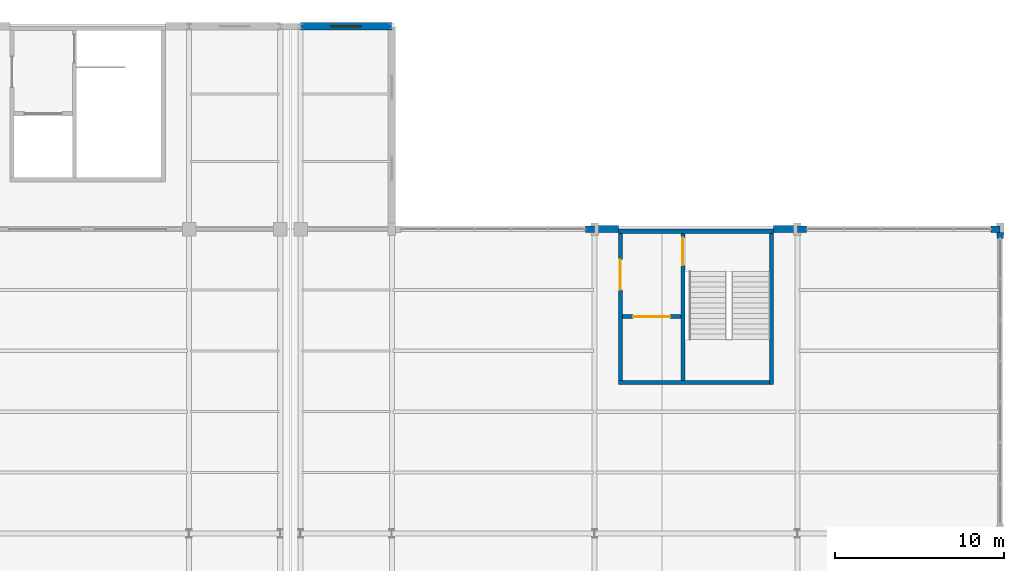
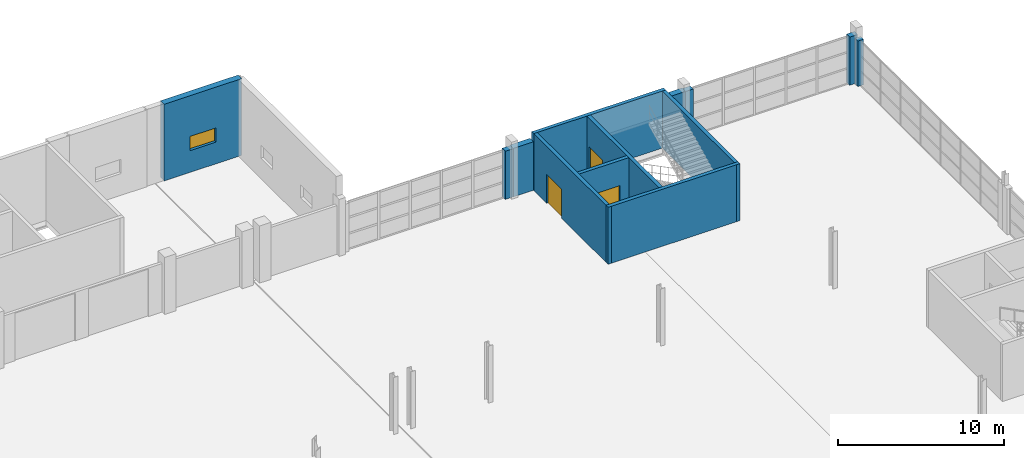
# One storey, part 141 of 147: 13 walls, 3 doors, 1 window, 4 openings.
"""IFC4 building model written with IfcOpenShell, lengths in metres."""

from ifc_helpers import new_model, si_unit, direction, frame, frame_2d, origin, place, context, subcontext, project, spatial, rectangle, extrude, material, layer, layer_set, type_object, element, fill, save


model = new_model("IFC4")

# Units and contexts
model_context = context("Model", 3, precision=1e-05, world=origin(), true_north=direction((0.0, 1.0)))
body_context = subcontext(model_context, "Body", "Model", "MODEL_VIEW")
ifc_project = project(units=[si_unit("LENGTHUNIT", "METRE"), si_unit("AREAUNIT", "SQUARE_METRE"), si_unit("VOLUMEUNIT", "CUBIC_METRE"), si_unit("PLANEANGLEUNIT", "RADIAN"), si_unit("MASSUNIT", "GRAM", prefix="KILO")], contexts=[model_context])

# Site, building, storey
site_placement = place(None, origin())
site = spatial("IfcSite", under=ifc_project, at=site_placement, CompositionType="ELEMENT")
building_placement = place(site_placement, origin())
building = spatial("IfcBuilding", under=site, at=building_placement, Name="Zilviju Railside Exhibition Hall", CompositionType="ELEMENT")
storey_placement = place(building_placement, frame((0.0, 0.0, 8.39990234375)))
storey = spatial("IfcBuildingStorey", under=building, at=storey_placement, Name="L03", CompositionType="ELEMENT", Elevation=8.39990234375)

# Walls
ifc_material_1 = material(Name="Concrete C35/45", Category="concrete")
ifc_layer_1 = layer(ifc_material_1, 0.25)
ifc_layer_set_1 = layer_set([ifc_layer_1], Name="Concrete C35/45")
wall_type_1 = type_object("IfcWallType", Name="WL-CORE-250", PredefinedType="SHEAR", material=ifc_layer_set_1)
wall_1_placement = place(storey_placement, frame((202.47509765625, 138.0, 0.0), z_axis=(0.0, 0.0, 1.0), x_axis=(0.0, -1.0, 0.0)))
element("IfcWall", 1, at=wall_1_placement, inside=storey, type_object=wall_type_1, Name="Core C08 North Hall Rail East Stairwell Outer Wall L03", PredefinedType="SHEAR", context=body_context, shape_type="SweptSolid", body=[
    extrude(rectangle(XDim=9.199951171875, YDim=0.25, at=frame_2d((4.60009765625, 0.0))), origin(), (0.0, 0.0, 1.0), 4.2001953125),
])
wall_2_placement = place(storey_placement, frame((202.60009765625, 128.925048828125, 0.0), z_axis=(0.0, 0.0, 1.0), x_axis=(-1.0, 0.0, 0.0)))
element("IfcWall", 2, at=wall_2_placement, inside=storey, type_object=wall_type_1, Name="Core C08 North Hall Rail East Core Rear Wall L03", PredefinedType="SHEAR", context=body_context, shape_type="SweptSolid", body=[
    extrude(rectangle(XDim=9.2001953125, YDim=0.25, at=frame_2d((4.60009765625, 0.0))), origin(), (0.0, 0.0, 1.0), 4.2001953125),
])

# Wall, opening, door
wall_3_placement = place(storey_placement, frame((193.52490234375, 138.0, 0.0), z_axis=(0.0, 0.0, 1.0), x_axis=(0.0, -1.0, 0.0)))
wall_3 = element("IfcWall", 3, at=wall_3_placement, inside=storey, type_object=wall_type_1, Name="Core C08 North Hall Rail East Lobby Side Wall L03", PredefinedType="SHEAR", context=body_context, shape_type="SweptSolid", body=[
    extrude(rectangle(XDim=9.199951171875, YDim=0.25, at=frame_2d((4.60009765625, 0.0))), origin(), (0.0, 0.0, 1.0), 4.2001953125),
])
opening_1_placement = place(wall_3_placement, frame((1.800048828125, 0.0, 0.0)))
opening_1 = element("IfcOpeningElement", 4, at=opening_1_placement, cuts=wall_3, Name="Opening FD-02", PredefinedType="OPENING", context=body_context, shape_type="SweptSolid", body=[
    extrude(rectangle(XDim=1.800048828125, YDim=2.14990234375, at=frame_2d((0.89990234375, 1.074951171875))), frame((0.0, 0.135009765625, 0.0), z_axis=(0.0, -1.0, 0.0), x_axis=(1.0, 0.0, 0.0)), (0.0, 0.0, 1.0), 0.27001953125),
])
ifc_material_2 = material(Name="Self-closing glazed steel core lobby fire door EI 60", Category="steel")
door_type_1 = type_object("IfcDoorType", Name="DR-LOBBY-180x215", OperationType="NOTDEFINED", PredefinedType="DOOR", material=ifc_material_2)
door_1_placement = place(opening_1_placement, origin())
door_1 = element("IfcDoor", 5, at=door_1_placement, inside=storey, type_object=door_type_1, Name="Core C08 North Hall Rail East Lobby Fire Door L03", OperationType="DOUBLE_DOOR_SINGLE_SWING", OverallHeight=2.14990234375, OverallWidth=1.800048828125, PredefinedType="DOOR", context=body_context, shape_type="SweptSolid", body=[
    extrude(rectangle(XDim=1.800048828125, YDim=2.14990234375, at=frame_2d((0.89990234375, 1.074951171875))), frame((0.0, 0.02490234375, 0.0), z_axis=(0.0, -1.0, 0.0), x_axis=(1.0, 0.0, 0.0)), (0.0, 0.0, 1.0), 0.050048828125),
])
fill(opening_1, door_1)

wall_4_placement = place(storey_placement, frame((197.22509765625, 137.75, 0.0), z_axis=(0.0, 0.0, 1.0), x_axis=(0.0, -1.0, 0.0)))
wall_4 = element("IfcWall", 6, at=wall_4_placement, inside=storey, type_object=wall_type_1, Name="Core C08 North Hall Rail East Stairwell Partition Wall L03", PredefinedType="SHEAR", context=body_context, shape_type="SweptSolid", body=[
    extrude(rectangle(XDim=8.699951171875, YDim=0.25, at=frame_2d((4.35009765625, 0.0))), origin(), (0.0, 0.0, 1.0), 4.2001953125),
])
opening_2_placement = place(wall_4_placement, frame((0.25, 0.0, 0.0)))
opening_2 = element("IfcOpeningElement", 7, at=opening_2_placement, cuts=wall_4, Name="Opening FD-01", PredefinedType="OPENING", context=body_context, shape_type="SweptSolid", body=[
    extrude(rectangle(XDim=1.64990234375, YDim=2.10009765625, at=frame_2d((0.824951171875, 1.050048828125))), frame((0.0, 0.135009765625, 0.0), z_axis=(0.0, -1.0, 0.0), x_axis=(1.0, 0.0, 0.0)), (0.0, 0.0, 1.0), 0.27001953125),
])
ifc_material_3 = material(Name="Self-closing steel stair enclosure fire door EI 60", Category="steel")
door_type_2 = type_object("IfcDoorType", Name="DR-STAIR-165x210", OperationType="NOTDEFINED", PredefinedType="DOOR", material=ifc_material_3)
door_2_placement = place(opening_2_placement, origin())
door_2 = element("IfcDoor", 8, at=door_2_placement, inside=storey, type_object=door_type_2, Name="Core C08 North Hall Rail East Protected Stair Door L03", OperationType="SINGLE_SWING_RIGHT", OverallHeight=2.10009765625, OverallWidth=1.64990234375, PredefinedType="DOOR", context=body_context, shape_type="SweptSolid", body=[
    extrude(rectangle(XDim=1.64990234375, YDim=2.10009765625, at=frame_2d((0.824951171875, 1.050048828125))), frame((0.0, 0.02490234375, 0.0), z_axis=(0.0, -1.0, 0.0), x_axis=(1.0, 0.0, 0.0)), (0.0, 0.0, 1.0), 0.050048828125),
])
fill(opening_2, door_2)

wall_5_placement = place(storey_placement, frame((197.10009765625, 132.824951171875, 0.0), z_axis=(0.0, 0.0, 1.0), x_axis=(-1.0, 0.0, 0.0)))
wall_5 = element("IfcWall", 9, at=wall_5_placement, inside=storey, type_object=wall_type_1, Name="Core C08 North Hall Rail East Lift Shaft Front Wall L03", PredefinedType="SHEAR", context=body_context, shape_type="SweptSolid", body=[
    extrude(rectangle(XDim=3.4501953125, YDim=0.25, at=frame_2d((1.72509765625, 0.0))), origin(), (0.0, 0.0, 1.0), 4.2001953125),
])
opening_3_placement = place(wall_5_placement, frame((0.625, 0.0, 0.0)))
opening_3 = element("IfcOpeningElement", 10, at=opening_3_placement, cuts=wall_5, Name="Opening LD-02", PredefinedType="OPENING", context=body_context, shape_type="SweptSolid", body=[
    extrude(rectangle(XDim=2.199951171875, YDim=2.35009765625, at=frame_2d((1.10009765625, 1.175048828125))), frame((0.0, 0.135009765625, 0.0), z_axis=(0.0, -1.0, 0.0), x_axis=(1.0, 0.0, 0.0)), (0.0, 0.0, 1.0), 0.27001953125),
])
ifc_material_4 = material(Name="Heavy freight lift sliding landing door EI 60", Category="wood")
door_type_3 = type_object("IfcDoorType", Name="DR-LIFT-220x235", OperationType="NOTDEFINED", PredefinedType="DOOR", material=ifc_material_4)
door_3_placement = place(opening_3_placement, origin())
door_3 = element("IfcDoor", 11, at=door_3_placement, inside=storey, type_object=door_type_3, Name="Lift Landing Door LF-02 L03", OperationType="SLIDING_TO_RIGHT", OverallHeight=2.35009765625, OverallWidth=2.199951171875, PredefinedType="DOOR", context=body_context, shape_type="SweptSolid", body=[
    extrude(rectangle(XDim=2.199951171875, YDim=2.35009765625, at=frame_2d((1.10009765625, 1.175048828125))), frame((0.0, 0.02490234375, 0.0), z_axis=(0.0, -1.0, 0.0), x_axis=(1.0, 0.0, 0.0)), (0.0, 0.0, 1.0), 0.050048828125),
])
fill(opening_3, door_3)

# Walls
ifc_material_5 = material(Name="Concrete C40/50", Category="concrete")
ifc_layer_2 = layer(ifc_material_5, 0.25)
ifc_layer_set_2 = layer_set([ifc_layer_2], Name="Concrete C40/50")
wall_type_2 = type_object("IfcWallType", Name="WL-CORE-300", PredefinedType="SHEAR", material=ifc_layer_set_2)
wall_6_placement = place(storey_placement, frame((193.39990234375, 137.875, 0.0), z_axis=(0.0, 0.0, 1.0), x_axis=(1.0, 0.0, 0.0)))
element("IfcWall", 12, at=wall_6_placement, inside=storey, type_object=wall_type_2, Name="Core C08 North Hall Rail East Exterior Core Wall L03", PredefinedType="SHEAR", context=body_context, shape_type="SweptSolid", body=[
    extrude(rectangle(XDim=9.2001953125, YDim=0.25, at=frame_2d((4.60009765625, 0.0))), origin(), (0.0, 0.0, 1.0), 4.2001953125),
])
ifc_material_6 = material(Name="Insulated cream-brick upper facade wall", Category="masonry")
ifc_layer_3 = layer(ifc_material_6, 0.3798828125)
ifc_layer_set_3 = layer_set([ifc_layer_3], Name="Insulated cream-brick upper facade wall")
wall_type_3 = type_object("IfcWallType", Name="WL-EXT-380", PredefinedType="SOLIDWALL", material=ifc_layer_set_3)
for number, where, z_axis, x_axis, name in (
    (13, (191.449951171875, 138.0, 0.0), (0.0, 0.0, 1.0), (1.0, 0.0, 0.0), "Curtain-Wall Jamb Closure Pier L03 0248"),
    (14, (204.001953125, 138.0, 0.0), (0.0, 0.0, 1.0), (1.0, 0.0, 0.0), "Curtain-Wall Jamb Closure Pier L03 0251"),
):
    element("IfcWall", number, at=place(storey_placement, frame(where, z_axis=z_axis, x_axis=x_axis)), inside=storey, type_object=wall_type_3, Name=name, PredefinedType="SOLIDWALL", context=body_context, shape_type="SweptSolid", body=[
        extrude(rectangle(XDim=0.548095703125, YDim=0.3798828125, at=frame_2d((0.27392578125, 0.0))), origin(), (0.0, 0.0, 1.0), 3.550048828125),
    ])
wall_7_placement = place(storey_placement, frame((215.449951171875, 138.0, 0.0), z_axis=(0.0, 0.0, 1.0), x_axis=(1.0, 0.0, 0.0)))
element("IfcWall", 15, at=wall_7_placement, inside=storey, type_object=wall_type_3, Name="Curtain-Wall Jamb Closure Pier L03 0252", PredefinedType="SOLIDWALL", context=body_context, shape_type="SweptSolid", body=[
    extrude(rectangle(XDim=0.550048828125, YDim=0.3798828125, at=frame_2d((0.27490234375, 0.0))), origin(), (0.0, 0.0, 1.0), 3.550048828125),
])
wall_8_placement = place(storey_placement, frame((216.0, 137.80810546875, 0.0), z_axis=(0.0, 0.0, 1.0), x_axis=(0.0, -1.0, 0.0)))
element("IfcWall", 16, at=wall_8_placement, inside=storey, type_object=wall_type_3, Name="Curtain-Wall Jamb Closure Pier L03 0259", PredefinedType="SOLIDWALL", context=body_context, shape_type="SweptSolid", body=[
    extrude(rectangle(XDim=0.358154296875, YDim=0.3798828125, at=frame_2d((0.17919921875, 0.0))), origin(), (0.0, 0.0, 1.0), 3.35009765625),
])
ifc_material_7 = material(Name="Insulated Jugendstils ochre brick facade wall", Category="masonry")
ifc_layer_4 = layer(ifc_material_7, 0.419921875)
ifc_layer_set_4 = layer_set([ifc_layer_4], Name="Insulated Jugendstils ochre brick facade wall")
wall_type_4 = type_object("IfcWallType", Name="WL-EXT-420", PredefinedType="SOLIDWALL", material=ifc_layer_set_4)
for number, where, z_axis, x_axis, name in (
    (17, (192.0, 138.0, 0.0), (0.0, 0.0, 1.0), (1.0, 0.0, 0.0), "Exterior Facade Wall L03 North 0249"),
    (18, (202.60009765625, 138.0, 0.0), (0.0, 0.0, 1.0), (1.0, 0.0, 0.0), "Exterior Facade Wall L03 North 0250"),
):
    element("IfcWall", number, at=place(storey_placement, frame(where, z_axis=z_axis, x_axis=x_axis)), inside=storey, type_object=wall_type_4, Name=name, PredefinedType="SOLIDWALL", context=body_context, shape_type="SweptSolid", body=[
        extrude(rectangle(XDim=1.39990234375, YDim=0.419921875, at=frame_2d((0.699951171875, 0.0))), origin(), (0.0, 0.0, 1.0), 3.580078125),
    ])

# Wall, opening, window
ifc_layer_5 = layer(ifc_material_5, 0.43994140625)
ifc_layer_set_5 = layer_set([ifc_layer_5], Name="Concrete C40/50")
wall_type_5 = type_object("IfcWallType", Name="WL-EXT-AC440", PredefinedType="SHEAR", material=ifc_layer_set_5)
wall_9_placement = place(storey_placement, frame((174.60009765625, 150.0, 0.0), z_axis=(0.0, 0.0, 1.0), x_axis=(1.0, 0.0, 0.0)))
wall_9 = element("IfcWall", 19, at=wall_9_placement, inside=storey, type_object=wall_type_5, Name="Exterior Facade Wall L03 North 0574", PredefinedType="SHEAR", context=body_context, shape_type="SweptSolid", body=[
    extrude(rectangle(XDim=5.39990234375, YDim=0.43994140625, at=frame_2d((2.699951171875, 0.0))), origin(), (0.0, 0.0, 1.0), 5.650146484375),
])
opening_4_placement = place(wall_9_placement, frame((1.800048828125, 0.0, 1.60009765625)))
opening_4 = element("IfcOpeningElement", 20, at=opening_4_placement, cuts=wall_9, Name="Opening WN-16", PredefinedType="OPENING", context=body_context, shape_type="SweptSolid", body=[
    extrude(rectangle(XDim=1.800048828125, YDim=1.050048828125, at=frame_2d((0.89990234375, 0.52490234375))), frame((0.0, 0.22998046875, 0.0), z_axis=(0.0, -1.0, 0.0), x_axis=(1.0, 0.0, 0.0)), (0.0, 0.0, 1.0), 0.4599609375),
])
ifc_material_8 = material(Name="Triple-glazed timber-aluminium window unit", Category="wood")
window_type = type_object("IfcWindowType", Name="WIN-LOG-180x105", PartitioningType="DOUBLE_PANEL_VERTICAL", PredefinedType="WINDOW", material=ifc_material_8)
window_placement = place(opening_4_placement, origin())
window = element("IfcWindow", 21, at=window_placement, inside=storey, type_object=window_type, Name="Facade Window L03 WN-0165", OverallHeight=1.050048828125, OverallWidth=1.800048828125, PartitioningType="SINGLE_PANEL", PredefinedType="WINDOW", context=body_context, shape_type="SweptSolid", body=[
    extrude(rectangle(XDim=1.800048828125, YDim=1.050048828125, at=frame_2d((0.89990234375, 0.52490234375))), frame((0.0, 0.030029296875, 0.0), z_axis=(0.0, -1.0, 0.0), x_axis=(1.0, 0.0, 0.0)), (0.0, 0.0, 1.0), 0.06005859375),
])
fill(opening_4, window)

save(model, "model.ifc")
